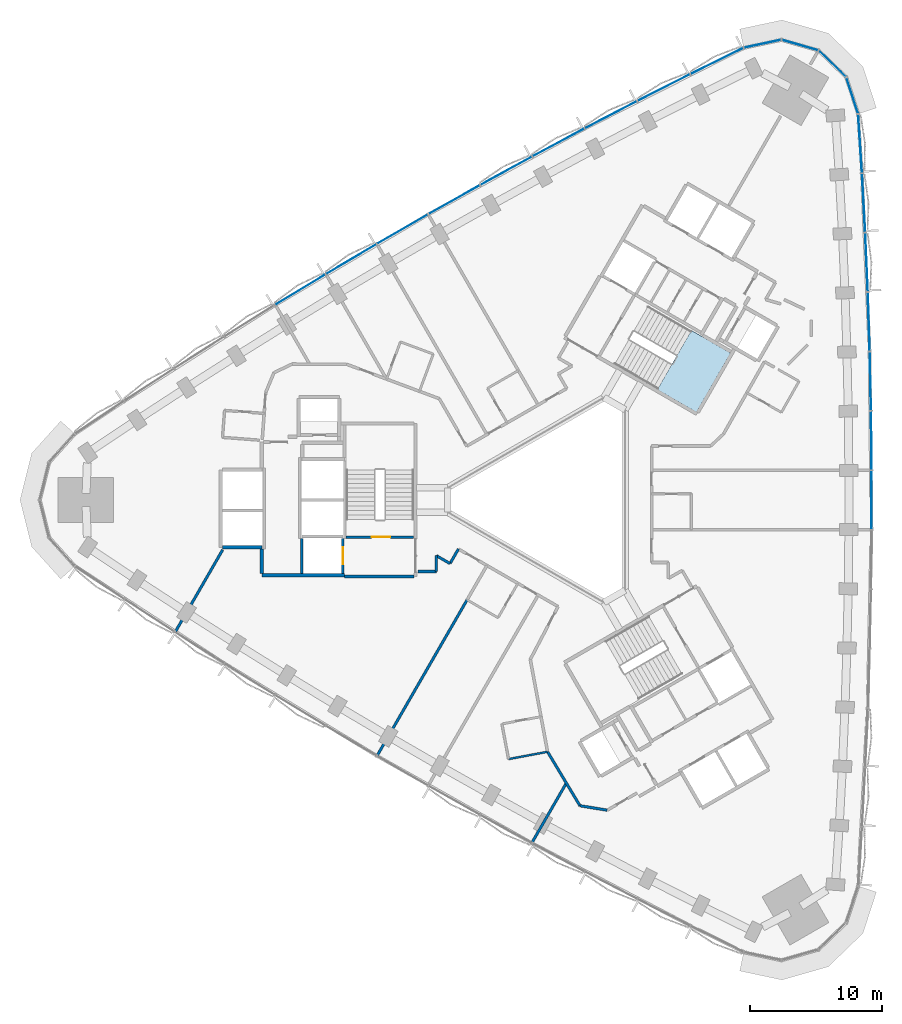
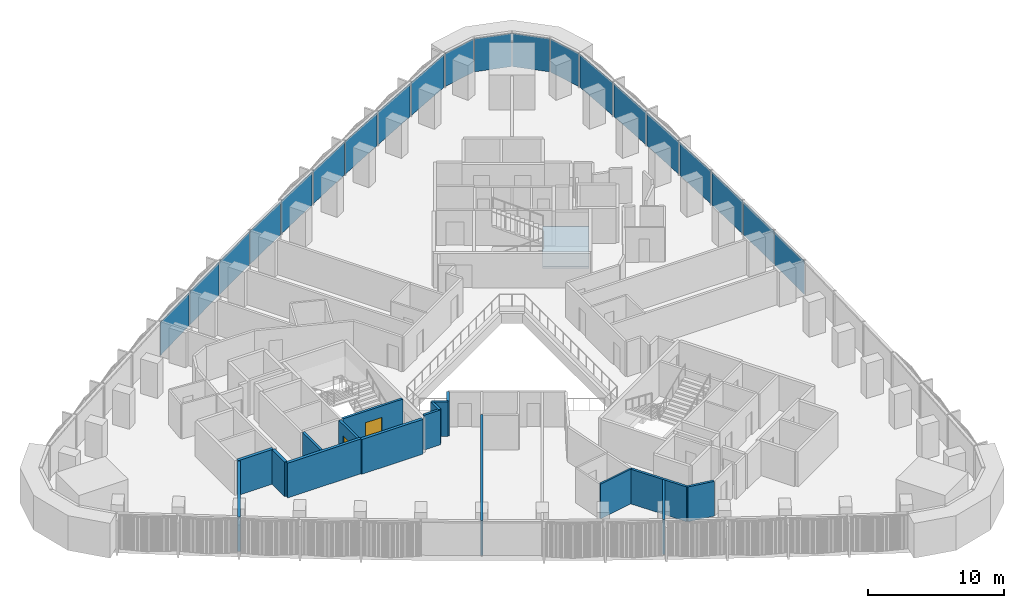
# One storey, part 7 of 15: 20 plates, 17 walls, 2 doors, 1 slab, 2 openings, 3 elements without a shape of their own.
"""IFC4 building model written with IfcOpenShell, lengths in metres."""

from ifc_helpers import new_model, si_unit, direction, frame, frame_2d, origin, origin_2d, place, context, subcontext, project, spatial, polyline, rectangle, outline, extrude, material, layer, layer_set, type_object, element, fill, aggregate, save


model = new_model("IFC4")

# Units and contexts
model_context = context("Model", 3, precision=1e-05, world=origin(), true_north=direction((0.0, 1.0)))
body_context = subcontext(model_context, "Body", "Model", "MODEL_VIEW")
ifc_project = project(units=[si_unit("LENGTHUNIT", "METRE"), si_unit("AREAUNIT", "SQUARE_METRE"), si_unit("VOLUMEUNIT", "CUBIC_METRE"), si_unit("PLANEANGLEUNIT", "RADIAN"), si_unit("MASSUNIT", "GRAM", prefix="KILO")], contexts=[model_context])

# Site, building, storey
site_placement = place(None, origin())
site = spatial("IfcSite", under=ifc_project, at=site_placement, CompositionType="ELEMENT")
building_placement = place(site_placement, origin())
building = spatial("IfcBuilding", under=site, at=building_placement, Name="Tamra Quay Hotel Tower", CompositionType="ELEMENT")
storey_placement = place(building_placement, frame((0.0, 0.0, 42.199951171875)))
storey = spatial("IfcBuildingStorey", under=building, at=storey_placement, Name="L08", CompositionType="ELEMENT", Elevation=42.199951171875)

# Stair, slab
ifc_material_1 = material(Name="Exit stair 2200 24 risers 150.0 going 342")
stair_type = type_object("IfcStairType", Name="Exit stair 2200 24 risers 150.0 going 342", PredefinedType="HALF_TURN_STAIR", material=ifc_material_1)
stair_placement = place(storey_placement, origin())
stair = element("IfcStair", 1, at=stair_placement, inside=storey, type_object=stair_type, Name="L08 Exit stair ST1", PredefinedType="HALF_TURN_STAIR")
ifc_material_2 = material(Name="Concrete M70", Category="concrete")
ifc_layer_1 = layer(ifc_material_2, 0.175048828125)
ifc_layer_set_1 = layer_set([ifc_layer_1], Name="Concrete M70 stair landing 180")
slab_type = type_object("IfcSlabType", Name="Concrete M70 stair landing 180", PredefinedType="LANDING", material=ifc_layer_set_1)
slab_placement = place(storey_placement, frame((0.0, 0.0, 1.625)))
slab = element("IfcSlab", 2, at=slab_placement, type_object=slab_type, Name="ST1 landing 1", PredefinedType="LANDING", context=body_context, shape_type="SweptSolid", body=[
    extrude(outline(polyline([(7.425048828125, 8.336669921875), (10.385009765625, 6.627685546875), (12.964599609375, 11.095458984375), (10.00439453125, 12.804443359375), (7.425048828125, 8.336669921875)])), origin(), (0.0, 0.0, 1.0), 0.175048828125),
])
aggregate(stair, [slab])

# Curtain wall, plates
ifc_material_3 = material(Name="Aluminium 6063 anodised dark grey", Category="aluminium")
curtain_wall_type_1 = type_object("IfcCurtainWallType", Name="CW1 CURTAIN WALL", PredefinedType="NOTDEFINED", material=ifc_material_3)
curtain_wall_1_placement = place(storey_placement, origin())
curtain_wall_1 = element("IfcCurtainWall", 3, at=curtain_wall_1_placement, inside=storey, type_object=curtain_wall_type_1, Name="CW1 east face L08", PredefinedType="NOTDEFINED")
ifc_material_4 = material(Name="Glass clear laminated low-iron", Category="glass")
ifc_layer_2 = layer(ifc_material_4, 0.035888671875)
ifc_layer_set_2 = layer_set([ifc_layer_2], Name="GLASS PANEL CW1 Z1")
plate_type_1 = type_object("IfcPlateType", Name="GLASS PANEL CW1 Z1", PredefinedType="CURTAIN_PANEL", material=ifc_layer_set_2)
plate_1_placement = place(storey_placement, frame((23.618408203125, 0.0, 0.0), z_axis=(0.0, 0.0, 1.0), x_axis=(0.0, 1.0, 0.0)))
plate_1 = element("IfcPlate", 4, at=plate_1_placement, type_object=plate_type_1, Name="CW1 glass L08.E.7", PredefinedType="CURTAIN_PANEL", context=body_context, shape_type="SweptSolid", body=[
    extrude(rectangle(XDim=4.388671875, YDim=0.035888671875, at=origin_2d()), origin(), (0.0, 0.0, 1.0), 2.985107421875),
])
plate_2_placement = place(storey_placement, frame((23.593994140625, 4.488525390625, 0.0), z_axis=(0.0, 0.0, 1.0), x_axis=(-0.010836354168, 0.99994128499, 0.0)))
plate_2 = element("IfcPlate", 5, at=plate_2_placement, type_object=plate_type_1, Name="CW1 glass L08.E.8", PredefinedType="CURTAIN_PANEL", context=body_context, shape_type="SweptSolid", body=[
    extrude(rectangle(XDim=4.388671875, YDim=0.035888671875, at=origin_2d()), origin(), (0.0, 0.0, 1.0), 2.985107421875),
])
plate_3_placement = place(storey_placement, frame((23.52099609375, 8.97705078125, 0.0), z_axis=(0.0, 0.0, 1.0), x_axis=(-0.021657653853, 0.999765445507, 0.0)))
plate_3 = element("IfcPlate", 6, at=plate_3_placement, type_object=plate_type_1, Name="CW1 glass L08.E.9", PredefinedType="CURTAIN_PANEL", context=body_context, shape_type="SweptSolid", body=[
    extrude(rectangle(XDim=4.3896484375, YDim=0.035888671875, at=origin_2d()), origin(), (0.0, 0.0, 1.0), 2.985107421875),
])
plate_4_placement = place(storey_placement, frame((23.399658203125, 13.464599609375, 0.0), z_axis=(0.0, 0.0, 1.0), x_axis=(-0.032474671117, 0.999472558771, 0.0)))
plate_4 = element("IfcPlate", 7, at=plate_4_placement, type_object=plate_type_1, Name="CW1 glass L08.E.10", PredefinedType="CURTAIN_PANEL", context=body_context, shape_type="SweptSolid", body=[
    extrude(rectangle(XDim=4.388671875, YDim=0.035888671875, at=origin_2d()), origin(), (0.0, 0.0, 1.0), 2.985107421875),
])
plate_5_placement = place(storey_placement, frame((23.2294921875, 17.949951171875, 0.0), z_axis=(0.0, 0.0, 1.0), x_axis=(-0.04328585604, 0.999062728094, 0.0)))
plate_5 = element("IfcPlate", 8, at=plate_5_placement, type_object=plate_type_1, Name="CW1 glass L08.E.11", PredefinedType="CURTAIN_PANEL", context=body_context, shape_type="SweptSolid", body=[
    extrude(rectangle(XDim=4.388671875, YDim=0.035888671875, at=origin_2d()), origin(), (0.0, 0.0, 1.0), 2.985107421875),
])
plate_6_placement = place(storey_placement, frame((23.010986328125, 22.433837890625, 0.0), z_axis=(0.0, 0.0, 1.0), x_axis=(-0.054062166947, 0.998537571704, 0.0)))
plate_6 = element("IfcPlate", 9, at=plate_6_placement, type_object=plate_type_1, Name="CW1 glass L08.E.12", PredefinedType="CURTAIN_PANEL", context=body_context, shape_type="SweptSolid", body=[
    extrude(rectangle(XDim=4.3896484375, YDim=0.035888671875, at=origin_2d()), origin(), (0.0, 0.0, 1.0), 2.985107421875),
])
plate_7_placement = place(storey_placement, frame((22.744140625, 26.914794921875, 0.0), z_axis=(0.0, 0.0, 1.0), x_axis=(-0.064813190551, 0.997897414733, 0.0)))
plate_7 = element("IfcPlate", 10, at=plate_7_placement, type_object=plate_type_1, Name="CW1 glass L08.E.13", PredefinedType="CURTAIN_PANEL", context=body_context, shape_type="SweptSolid", body=[
    extrude(rectangle(XDim=4.38818359375, YDim=0.035888671875, at=origin_2d()), origin(), (0.0, 0.0, 1.0), 2.985107421875),
])
plate_8_placement = place(storey_placement, frame((22.1484375, 30.5400390625, 0.0), z_axis=(0.0, 0.0, 1.0), x_axis=(-0.309040551826, 0.951048861693, 0.0)))
plate_8 = element("IfcPlate", 11, at=plate_8_placement, type_object=plate_type_1, Name="CW1 glass L08.E.14", PredefinedType="CURTAIN_PANEL", context=body_context, shape_type="SweptSolid", body=[
    extrude(rectangle(XDim=2.814697265625, YDim=0.035888671875, at=origin_2d()), origin(), (0.0, 0.0, 1.0), 2.985107421875),
])
plate_9_placement = place(storey_placement, frame((20.649658203125, 32.9384765625, 0.0), z_axis=(0.0, 0.0, 1.0), x_axis=(-0.719345535851, 0.694652431113, 0.0)))
plate_9 = element("IfcPlate", 12, at=plate_9_placement, type_object=plate_type_1, Name="CW1 glass L08.E.15", PredefinedType="CURTAIN_PANEL", context=body_context, shape_type="SweptSolid", body=[
    extrude(rectangle(XDim=2.814697265625, YDim=0.035888671875, at=origin_2d()), origin(), (0.0, 0.0, 1.0), 2.985107421875),
])
plate_10_placement = place(storey_placement, frame((18.20068359375, 34.352294921875, 0.0), z_axis=(0.0, 0.0, 1.0), x_axis=(-0.96125942007, 0.275645292589, 0.0)))
plate_10 = element("IfcPlate", 13, at=plate_10_placement, type_object=plate_type_1, Name="CW1 glass L08.E.16", PredefinedType="CURTAIN_PANEL", context=body_context, shape_type="SweptSolid", body=[
    extrude(rectangle(XDim=2.814697265625, YDim=0.035888671875, at=origin_2d()), origin(), (0.0, 0.0, 1.0), 2.985107421875),
])
plate_11_placement = place(storey_placement, frame((15.374267578125, 34.451171875, 0.0), z_axis=(0.0, 0.0, 1.0), x_axis=(-0.978152750379, -0.207887462165, 0.0)))
plate_11 = element("IfcPlate", 14, at=plate_11_placement, type_object=plate_type_1, Name="CW1 glass L08.E.17", PredefinedType="CURTAIN_PANEL", context=body_context, shape_type="SweptSolid", body=[
    extrude(rectangle(XDim=2.814697265625, YDim=0.035888671875, at=origin_2d()), origin(), (0.0, 0.0, 1.0), 2.985107421875),
])
aggregate(curtain_wall_1, [plate_1, plate_2, plate_3, plate_4, plate_5, plate_6, plate_7, plate_8, plate_9, plate_10, plate_11])

curtain_wall_type_2 = type_object("IfcCurtainWallType", Name="CW2 CURTAIN WALL", PredefinedType="NOTDEFINED", material=ifc_material_3)
curtain_wall_2_placement = place(storey_placement, origin())
curtain_wall_2 = element("IfcCurtainWall", 15, at=curtain_wall_2_placement, inside=storey, type_object=curtain_wall_type_2, Name="CW2 north-west face L08", PredefinedType="NOTDEFINED")
ifc_layer_3 = layer(ifc_material_4, 0.035888671875)
ifc_layer_set_3 = layer_set([ifc_layer_3], Name="GLASS PANEL CW2 Z1")
plate_type_2 = type_object("IfcPlateType", Name="GLASS PANEL CW2 Z1", PredefinedType="CURTAIN_PANEL", material=ifc_layer_set_3)
plate_12_placement = place(storey_placement, frame((11.936767578125, 33.154541015625, 0.0), z_axis=(0.0, 0.0, 1.0), x_axis=(-0.896611106805, -0.442818837849, 0.0)))
plate_12 = element("IfcPlate", 16, at=plate_12_placement, type_object=plate_type_2, Name="CW2 glass L08.NW.1", PredefinedType="CURTAIN_PANEL", context=body_context, shape_type="SweptSolid", body=[
    extrude(rectangle(XDim=4.38818359375, YDim=0.035888671875, at=origin_2d()), origin(), (0.0, 0.0, 1.0), 2.985107421875),
])
plate_13_placement = place(storey_placement, frame((7.9228515625, 31.14501953125, 0.0), z_axis=(0.0, 0.0, 1.0), x_axis=(-0.891789987202, -0.452449575893, 0.0)))
plate_13 = element("IfcPlate", 17, at=plate_13_placement, type_object=plate_type_2, Name="CW2 glass L08.NW.2", PredefinedType="CURTAIN_PANEL", context=body_context, shape_type="SweptSolid", body=[
    extrude(rectangle(XDim=4.3896484375, YDim=0.035888671875, at=origin_2d()), origin(), (0.0, 0.0, 1.0), 2.985107421875),
])
plate_14_placement = place(storey_placement, frame((3.930419921875, 29.09228515625, 0.0), z_axis=(0.0, 0.0, 1.0), x_axis=(-0.886856630524, -0.462044713092, 0.0)))
plate_14 = element("IfcPlate", 18, at=plate_14_placement, type_object=plate_type_2, Name="CW2 glass L08.NW.3", PredefinedType="CURTAIN_PANEL", context=body_context, shape_type="SweptSolid", body=[
    extrude(rectangle(XDim=4.388671875, YDim=0.035888671875, at=origin_2d()), origin(), (0.0, 0.0, 1.0), 2.985107421875),
])
plate_15_placement = place(storey_placement, frame((-0.0390625, 26.996826171875, 0.0), z_axis=(0.0, 0.0, 1.0), x_axis=(-0.88180596184, -0.471612389218, 0.0)))
plate_15 = element("IfcPlate", 19, at=plate_15_placement, type_object=plate_type_2, Name="CW2 glass L08.NW.4", PredefinedType="CURTAIN_PANEL", context=body_context, shape_type="SweptSolid", body=[
    extrude(rectangle(XDim=4.388671875, YDim=0.035888671875, at=origin_2d()), origin(), (0.0, 0.0, 1.0), 2.985107421875),
])
plate_16_placement = place(storey_placement, frame((-3.986083984375, 24.8583984375, 0.0), z_axis=(0.0, 0.0, 1.0), x_axis=(-0.876651100562, -0.48112664433, 0.0)))
plate_16 = element("IfcPlate", 20, at=plate_16_placement, type_object=plate_type_2, Name="CW2 glass L08.NW.5", PredefinedType="CURTAIN_PANEL", context=body_context, shape_type="SweptSolid", body=[
    extrude(rectangle(XDim=4.3896484375, YDim=0.035888671875, at=origin_2d()), origin(), (0.0, 0.0, 1.0), 2.985107421875),
])
plate_17_placement = place(storey_placement, frame((-7.90966796875, 22.67724609375, 0.0), z_axis=(0.0, 0.0, 1.0), x_axis=(-0.871392732178, -0.490586084502, 0.0)))
plate_17 = element("IfcPlate", 21, at=plate_17_placement, type_object=plate_type_2, Name="CW2 glass L08.NW.6", PredefinedType="CURTAIN_PANEL", context=body_context, shape_type="SweptSolid", body=[
    extrude(rectangle(XDim=4.388671875, YDim=0.035888671875, at=origin_2d()), origin(), (0.0, 0.0, 1.0), 2.985107421875),
])
plate_18_placement = place(storey_placement, frame((-11.80908203125, 20.4541015625, 0.0), z_axis=(0.0, 0.0, 1.0), x_axis=(-0.866025403784, -0.5, 0.0)))
plate_18 = element("IfcPlate", 22, at=plate_18_placement, type_object=plate_type_2, Name="CW2 glass L08.NW.7", PredefinedType="CURTAIN_PANEL", context=body_context, shape_type="SweptSolid", body=[
    extrude(rectangle(XDim=4.388671875, YDim=0.035888671875, at=origin_2d()), origin(), (0.0, 0.0, 1.0), 2.985107421875),
])
plate_19_placement = place(storey_placement, frame((-15.684326171875, 18.188720703125, 0.0), z_axis=(0.0, 0.0, 1.0), x_axis=(-0.860556378011, -0.509355200489, 0.0)))
plate_19 = element("IfcPlate", 23, at=plate_19_placement, type_object=plate_type_2, Name="CW2 glass L08.NW.8", PredefinedType="CURTAIN_PANEL", context=body_context, shape_type="SweptSolid", body=[
    extrude(rectangle(XDim=4.388671875, YDim=0.035888671875, at=origin_2d()), origin(), (0.0, 0.0, 1.0), 2.985107421875),
])
plate_20_placement = place(storey_placement, frame((-19.534912109375, 15.88134765625, 0.0), z_axis=(0.0, 0.0, 1.0), x_axis=(-0.854993446708, -0.518638801177, 0.0)))
plate_20 = element("IfcPlate", 24, at=plate_20_placement, type_object=plate_type_2, Name="CW2 glass L08.NW.9", PredefinedType="CURTAIN_PANEL", context=body_context, shape_type="SweptSolid", body=[
    extrude(rectangle(XDim=4.3896484375, YDim=0.035888671875, at=origin_2d()), origin(), (0.0, 0.0, 1.0), 2.985107421875),
])
aggregate(curtain_wall_2, [plate_12, plate_13, plate_14, plate_15, plate_16, plate_17, plate_18, plate_19, plate_20])

# Wall, opening, door
ifc_layer_4 = layer(ifc_material_2, 0.199951171875)
ifc_layer_set_4 = layer_set([ifc_layer_4], Name="Concrete M70 core wall 200")
wall_type_1 = type_object("IfcWallType", Name="Concrete M70 core wall 200", PredefinedType="SHEAR", material=ifc_layer_set_4)
wall_1_placement = place(storey_placement, frame((-10.96337890625, -2.800048828125, 0.0), z_axis=(0.0, 0.0, 1.0), x_axis=(-1.0, 0.0, 0.0)))
wall_1 = element("IfcWall", 25, at=wall_1_placement, inside=storey, type_object=wall_type_1, Name="CW2", PredefinedType="SHEAR", context=body_context, shape_type="SweptSolid", body=[
    extrude(rectangle(XDim=5.097900390625, YDim=0.199951171875, at=frame_2d((2.548828125, 0.0))), origin(), (0.0, 0.0, 1.0), 3.125),
])
opening_1_placement = place(wall_1_placement, frame((1.77392578125, 0.0, 0.0)))
opening_1 = element("IfcOpeningElement", 26, at=opening_1_placement, cuts=wall_1, Name="Opening FD2", PredefinedType="OPENING", context=body_context, shape_type="SweptSolid", body=[
    extrude(rectangle(XDim=1.39990234375, YDim=2.10009765625, at=frame_2d((0.699951171875, 1.050048828125))), frame((0.0, 0.10986328125, 0.0), z_axis=(0.0, -1.0, 0.0), x_axis=(1.0, 0.0, 0.0)), (0.0, 0.0, 1.0), 0.219970703125),
])
ifc_material_5 = material(Name="Core door FD2 1400x2100 LH")
door_type_1 = type_object("IfcDoorType", Name="Core door FD2 1400x2100 LH", OperationType="NOTDEFINED", PredefinedType="DOOR", material=ifc_material_5)
door_1_placement = place(opening_1_placement, origin())
door_1 = element("IfcDoor", 27, at=door_1_placement, inside=storey, type_object=door_type_1, Name="FD2", OperationType="SINGLE_SWING_LEFT", OverallHeight=2.10009765625, OverallWidth=1.39990234375, PredefinedType="DOOR", context=body_context, shape_type="SweptSolid", body=[
    extrude(rectangle(XDim=1.39990234375, YDim=2.10009765625, at=frame_2d((0.699951171875, 1.050048828125))), frame((0.0, 0.02490234375, 0.0), z_axis=(0.0, -1.0, 0.0), x_axis=(1.0, 0.0, 0.0)), (0.0, 0.0, 1.0), 0.050048828125),
])
fill(opening_1, door_1)

wall_2_placement = place(storey_placement, frame((-16.312255859375, -2.898193359375, 0.0), z_axis=(0.0, 0.0, 1.0), x_axis=(0.0, -1.0, 0.0)))
wall_2 = element("IfcWall", 28, at=wall_2_placement, inside=storey, type_object=wall_type_1, Name="CW2", PredefinedType="SHEAR", context=body_context, shape_type="SweptSolid", body=[
    extrude(rectangle(XDim=2.65087890625, YDim=0.199951171875, at=frame_2d((1.325439453125, 0.0))), origin(), (0.0, 0.0, 1.0), 3.125),
])
opening_2_placement = place(wall_2_placement, frame((0.65185546875, 0.0, 0.0)))
opening_2 = element("IfcOpeningElement", 29, at=opening_2_placement, cuts=wall_2, Name="Opening LD", PredefinedType="OPENING", context=body_context, shape_type="SweptSolid", body=[
    extrude(rectangle(XDim=1.300048828125, YDim=2.10009765625, at=frame_2d((0.64990234375, 1.050048828125))), frame((0.0, 0.10986328125, 0.0), z_axis=(0.0, -1.0, 0.0), x_axis=(1.0, 0.0, 0.0)), (0.0, 0.0, 1.0), 0.219970703125),
])
ifc_material_6 = material(Name="Landing door LD 1300 sliding to left")
door_type_2 = type_object("IfcDoorType", Name="Landing door LD 1300 sliding to left", OperationType="NOTDEFINED", PredefinedType="DOOR", material=ifc_material_6)
door_2_placement = place(opening_2_placement, origin())
door_2 = element("IfcDoor", 30, at=door_2_placement, inside=storey, type_object=door_type_2, Name="LD", OperationType="SLIDING_TO_LEFT", OverallHeight=2.10009765625, OverallWidth=1.300048828125, PredefinedType="DOOR", context=body_context, shape_type="SweptSolid", body=[
    extrude(rectangle(XDim=1.300048828125, YDim=2.10009765625, at=frame_2d((0.64990234375, 1.050048828125))), frame((0.0, 0.02490234375, 0.0), z_axis=(0.0, -1.0, 0.0), x_axis=(1.0, 0.0, 0.0)), (0.0, 0.0, 1.0), 0.050048828125),
])
fill(opening_2, door_2)

# Walls
wall_3_placement = place(storey_placement, frame((-19.412353515625, -5.549072265625, 0.0), z_axis=(0.0, 0.0, 1.0), x_axis=(0.0, 1.0, 0.0)))
element("IfcWall", 31, at=wall_3_placement, inside=storey, type_object=wall_type_1, Name="CW2", PredefinedType="SHEAR", context=body_context, shape_type="SweptSolid", body=[
    extrude(rectangle(XDim=2.65087890625, YDim=0.199951171875, at=frame_2d((1.325439453125, 0.0))), origin(), (0.0, 0.0, 1.0), 3.125),
])
ifc_layer_5 = layer(ifc_material_2, 0.25)
ifc_layer_set_5 = layer_set([ifc_layer_5], Name="Concrete M70 core wall 250")
wall_type_2 = type_object("IfcWallType", Name="Concrete M70 core wall 250", PredefinedType="SHEAR", material=ifc_layer_set_5)
wall_4_placement = place(storey_placement, frame((-16.187255859375, -5.675048828125, 0.0), z_axis=(0.0, 0.0, 1.0), x_axis=(-1.0, 0.0, 0.0)))
element("IfcWall", 32, at=wall_4_placement, inside=storey, type_object=wall_type_2, Name="CW1", PredefinedType="SHEAR", context=body_context, shape_type="SweptSolid", body=[
    extrude(rectangle(XDim=6.25, YDim=0.25, at=frame_2d((3.125, 0.0))), origin(), (0.0, 0.0, 1.0), 3.125),
])
wall_5_placement = place(storey_placement, frame((-10.962646484375, -5.77490234375, 0.0), z_axis=(0.0, 0.0, 1.0), x_axis=(-1.0, 0.0, 0.0)))
element("IfcWall", 33, at=wall_5_placement, inside=storey, type_object=wall_type_2, Name="CW1", PredefinedType="SHEAR", context=body_context, shape_type="SweptSolid", body=[
    extrude(rectangle(XDim=5.224609375, YDim=0.25, at=frame_2d((2.6123046875, 0.0))), origin(), (0.0, 0.0, 1.0), 3.125),
])
wall_6_placement = place(storey_placement, frame((-22.437255859375, -3.574951171875, 0.0), z_axis=(0.0, 0.0, 1.0), x_axis=(-1.0, 0.0, 0.0)))
element("IfcWall", 34, at=wall_6_placement, inside=storey, type_object=wall_type_2, Name="CW1", PredefinedType="SHEAR", context=body_context, shape_type="SweptSolid", body=[
    extrude(rectangle(XDim=2.974609375, YDim=0.25, at=frame_2d((1.4873046875, 0.0))), origin(), (0.0, 0.0, 1.0), 3.125),
])
wall_7_placement = place(storey_placement, frame((-22.437255859375, -5.549560546875, 0.0), z_axis=(0.0, 0.0, 1.0), x_axis=(0.0, 1.0, 0.0)))
element("IfcWall", 35, at=wall_7_placement, inside=storey, type_object=wall_type_2, Name="CW1", PredefinedType="SHEAR", context=body_context, shape_type="SweptSolid", body=[
    extrude(rectangle(XDim=1.84912109375, YDim=0.25, at=frame_2d((0.924560546875, 0.0))), origin(), (0.0, 0.0, 1.0), 3.125),
])
ifc_material_7 = material(Name="Partition corridor wall")
ifc_layer_6 = layer(ifc_material_7, 0.199951171875)
ifc_layer_set_6 = layer_set([ifc_layer_6], Name="Partition corridor wall")
wall_type_3 = type_object("IfcWallType", Name="Partition corridor wall", PredefinedType="PARTITIONING", material=ifc_layer_set_6)
wall_8_placement = place(storey_placement, frame((-10.65234375, -5.39990234375, 0.0), z_axis=(0.0, 0.0, 1.0), x_axis=(1.0, 0.0, 0.0)))
element("IfcWall", 36, at=wall_8_placement, inside=storey, type_object=wall_type_3, Name="W-C", PredefinedType="PARTITIONING", context=body_context, shape_type="SweptSolid", body=[
    extrude(rectangle(XDim=1.390380859375, YDim=0.199951171875, at=frame_2d((0.6953125, 0.0))), origin(), (0.0, 0.0, 1.0), 3.125),
])
for number, where, z_axis, x_axis, name in (
    (37, (-9.261962890625, -5.39990234375, 0.0), (0.0, 0.0, 1.0), (0.0, 1.0, 0.0), "W-C"),
    (38, (-9.261962890625, -4.199951171875, 0.0), (0.0, 0.0, 1.0), (0.865955154139, -0.50012165622, 0.0), "W-C"),
):
    element("IfcWall", number, at=place(storey_placement, frame(where, z_axis=z_axis, x_axis=x_axis)), inside=storey, type_object=wall_type_3, Name=name, PredefinedType="PARTITIONING", context=body_context, shape_type="SweptSolid", body=[
        extrude(rectangle(XDim=1.199951171875, YDim=0.199951171875, at=frame_2d((0.60009765625, 0.0))), origin(), (0.0, 0.0, 1.0), 3.125),
    ])
wall_9_placement = place(storey_placement, frame((-8.222900390625, -4.800048828125, 0.0), z_axis=(0.0, 0.0, 1.0), x_axis=(0.499866914522, 0.866102227088, 0.0)))
element("IfcWall", 39, at=wall_9_placement, inside=storey, type_object=wall_type_3, Name="W-C", PredefinedType="PARTITIONING", context=body_context, shape_type="SweptSolid", body=[
    extrude(rectangle(XDim=1.267822265625, YDim=0.199951171875, at=frame_2d((0.6337890625, 0.0))), origin(), (0.0, 0.0, 1.0), 3.125),
])
wall_10_placement = place(storey_placement, frame((-0.85791015625, -19.01708984375, 0.0), z_axis=(0.0, 0.0, 1.0), x_axis=(0.514647068805, -0.857402119528, 0.0)))
element("IfcWall", 40, at=wall_10_placement, inside=storey, type_object=wall_type_3, Name="W-C", PredefinedType="PARTITIONING", context=body_context, shape_type="SweptSolid", body=[
    extrude(rectangle(XDim=4.745361328125, YDim=0.199951171875, at=frame_2d((2.37255859375, 0.0))), origin(), (0.0, 0.0, 1.0), 3.125),
])
wall_11_placement = place(storey_placement, frame((1.583984375, -23.0859375, 0.0), z_axis=(0.0, 0.0, 1.0), x_axis=(0.986633159246, -0.162957077405, 0.0)))
element("IfcWall", 41, at=wall_11_placement, inside=storey, type_object=wall_type_3, Name="W-C", PredefinedType="PARTITIONING", context=body_context, shape_type="SweptSolid", body=[
    extrude(rectangle(XDim=2.0869140625, YDim=0.199951171875, at=frame_2d((1.04345703125, 0.0))), origin(), (0.0, 0.0, 1.0), 3.125),
])
ifc_material_8 = material(Name="Partition en-suite wall")
ifc_layer_7 = layer(ifc_material_8, 0.14990234375)
ifc_layer_set_7 = layer_set([ifc_layer_7], Name="Partition en-suite wall")
wall_type_4 = type_object("IfcWallType", Name="Partition en-suite wall", PredefinedType="PARTITIONING", material=ifc_layer_set_7)
wall_12_placement = place(storey_placement, frame((-3.806884765625, -19.56591796875, 0.0), z_axis=(0.0, 0.0, 1.0), x_axis=(0.982987155193, 0.183674311555, 0.0)))
element("IfcWall", 42, at=wall_12_placement, inside=storey, type_object=wall_type_4, Name="W-E", PredefinedType="PARTITIONING", context=body_context, shape_type="SweptSolid", body=[
    extrude(rectangle(XDim=3.0, YDim=0.14990234375, at=frame_2d((1.5, 0.0))), origin(), (0.0, 0.0, 1.0), 3.125),
])
ifc_material_9 = material(Name="Partition party wall")
ifc_layer_8 = layer(ifc_material_9, 0.199951171875)
ifc_layer_set_8 = layer_set([ifc_layer_8], Name="Partition party wall")
wall_type_5 = type_object("IfcWallType", Name="Partition party wall", PredefinedType="PARTITIONING", material=ifc_layer_set_8)
wall_13_placement = place(storey_placement, frame((-28.98046875, -9.9775390625, 0.0), z_axis=(0.0, 0.0, 1.0), x_axis=(0.500015830155, 0.866016264047, 0.0)))
element("IfcWall", 43, at=wall_13_placement, inside=storey, type_object=wall_type_5, Name="W-P", PredefinedType="PARTITIONING", context=body_context, shape_type="SweptSolid", body=[
    extrude(rectangle(XDim=7.179443359375, YDim=0.199951171875, at=frame_2d((3.58984375, 0.0))), origin(), (0.0, 0.0, 1.0), 3.125),
])
wall_14_placement = place(storey_placement, frame((-13.7421875, -19.332275390625, 0.0), z_axis=(0.0, 0.0, 1.0), x_axis=(0.499995450659, 0.866028030332, 0.0)))
element("IfcWall", 44, at=wall_14_placement, inside=storey, type_object=wall_type_5, Name="W-P", PredefinedType="PARTITIONING", context=body_context, shape_type="SweptSolid", body=[
    extrude(rectangle(XDim=13.624755859375, YDim=0.199951171875, at=frame_2d((6.8125, 0.0))), origin(), (0.0, 0.0, 1.0), 3.125),
])
wall_15_placement = place(storey_placement, frame((-2.056396484375, -25.911865234375, 0.0), z_axis=(0.0, 0.0, 1.0), x_axis=(0.499906852383, 0.866079175907, 0.0)))
element("IfcWall", 45, at=wall_15_placement, inside=storey, type_object=wall_type_5, Name="W-P", PredefinedType="PARTITIONING", context=body_context, shape_type="SweptSolid", body=[
    extrude(rectangle(XDim=5.23388671875, YDim=0.199951171875, at=frame_2d((2.616943359375, 0.0))), origin(), (0.0, 0.0, 1.0), 3.125),
])

save(model, "model.ifc")
